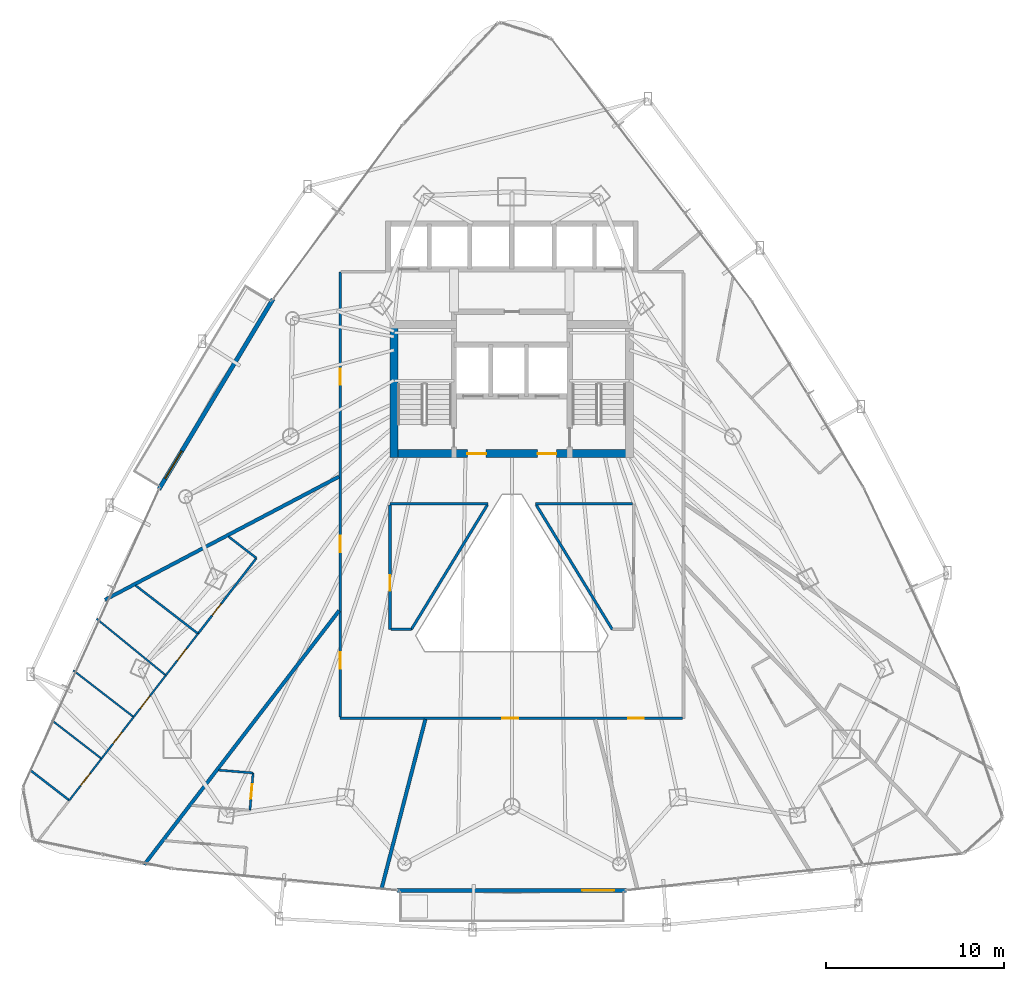
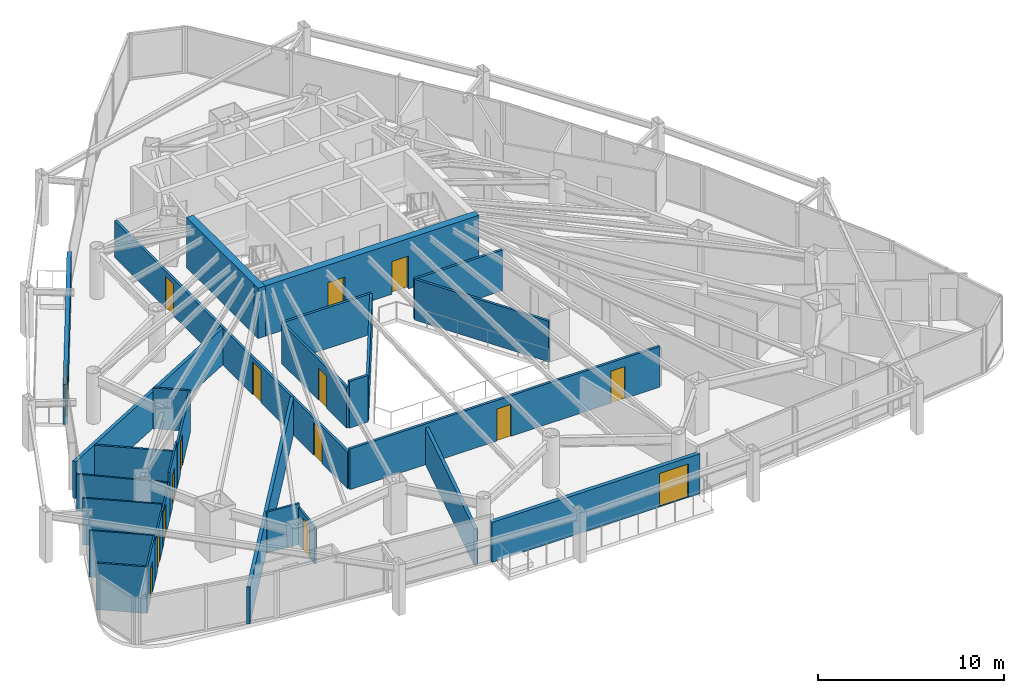
# One storey, part 29 of 34: 28 walls, 16 doors, 16 openings.
"""IFC4 building model written with IfcOpenShell, lengths in metres."""

from ifc_helpers import new_model, si_unit, direction, frame, frame_2d, origin, place, context, subcontext, project, spatial, rectangle, extrude, material, layer, layer_set, type_object, element, fill, save


model = new_model("IFC4")

# Units and contexts
model_context = context("Model", 3, precision=1e-05, world=origin(), true_north=direction((0.0, 1.0)))
body_context = subcontext(model_context, "Body", "Model", "MODEL_VIEW")
ifc_project = project(units=[si_unit("LENGTHUNIT", "METRE"), si_unit("AREAUNIT", "SQUARE_METRE"), si_unit("VOLUMEUNIT", "CUBIC_METRE"), si_unit("PLANEANGLEUNIT", "RADIAN"), si_unit("MASSUNIT", "GRAM", prefix="KILO")], contexts=[model_context])

# Site, building, storey
site_placement = place(None, origin())
site = spatial("IfcSite", under=ifc_project, at=site_placement, CompositionType="ELEMENT")
building_placement = place(site_placement, origin())
building = spatial("IfcBuilding", under=site, at=building_placement, Name="Orvanel Arch Residences", CompositionType="ELEMENT")
storey_placement = place(building_placement, frame((0.0, 0.0, 77.449951171875)))
storey = spatial("IfcBuildingStorey", under=building, at=storey_placement, Name="L21", CompositionType="ELEMENT", Elevation=77.449951171875)

# Wall, opening, door
ifc_material_1 = material(Name="Precast concrete N50 (50 MPa)", Category="concrete")
ifc_layer_1 = layer(ifc_material_1, 0.239990234375)
ifc_layer_set_1 = layer_set([ifc_layer_1], Name="Precast concrete N50 (50 MPa)")
wall_type_1 = type_object("IfcWallType", Name="EW-BAL-240", PredefinedType="SOLIDWALL", material=ifc_layer_set_1)
wall_1_placement = place(storey_placement, frame((19.575927734375, 35.3701171875, 0.0), z_axis=(0.0, 0.0, 1.0), x_axis=(-0.514331693128, -0.85759134175, 0.0)))
wall_1 = element("IfcWall", 1, at=wall_1_placement, inside=storey, type_object=wall_type_1, Name="L21 Balcony Threshold Wall Face 1", PredefinedType="SOLIDWALL", context=body_context, shape_type="SweptSolid", body=[
    extrude(rectangle(XDim=12.474365234375, YDim=0.239990234375, at=frame_2d((6.2373046875, 0.0))), origin(), (0.0, 0.0, 1.0), 2.6240234375),
])
opening_1_placement = place(wall_1_placement, frame((9.97705078125, 0.0, 0.0)))
opening_1 = element("IfcOpeningElement", 2, at=opening_1_placement, cuts=wall_1, Name="Opening DB-180", PredefinedType="OPENING", context=body_context, shape_type="SweptSolid", body=[
    extrude(rectangle(XDim=1.800048828125, YDim=2.199951171875, at=frame_2d((0.89990234375, 1.10009765625))), frame((0.0, 0.1298828125, 0.0), z_axis=(0.0, -1.0, 0.0), x_axis=(1.0, 0.0, 0.0)), (0.0, 0.0, 1.0), 0.260009765625),
])
ifc_material_2 = material(Name="Bronze-anodised aluminium AA6063-T6", Category="aluminium")
door_type_1 = type_object("IfcDoorType", Name="DR-BAL-1800", OperationType="NOTDEFINED", PredefinedType="DOOR", material=ifc_material_2)
door_1_placement = place(opening_1_placement, origin())
door_1 = element("IfcDoor", 3, at=door_1_placement, inside=storey, type_object=door_type_1, Name="DR-L21-BAL-F1 L21 Planted Balcony Access Door Face 1", OperationType="SINGLE_SWING_LEFT", OverallHeight=2.199951171875, OverallWidth=1.800048828125, PredefinedType="DOOR", context=body_context, shape_type="SweptSolid", body=[
    extrude(rectangle(XDim=1.800048828125, YDim=2.199951171875, at=frame_2d((0.89990234375, 1.10009765625))), frame((0.0, 0.02490234375, 0.0), z_axis=(0.0, -1.0, 0.0), x_axis=(1.0, 0.0, 0.0)), (0.0, 0.0, 1.0), 0.050048828125),
])
fill(opening_1, door_1)

wall_2_placement = place(storey_placement, frame((26.553955078125, 2.117919921875, 0.0), z_axis=(0.0, 0.0, 1.0), x_axis=(1.0, 0.0, 0.0)))
wall_2 = element("IfcWall", 4, at=wall_2_placement, inside=storey, type_object=wall_type_1, Name="L21 Balcony Threshold Wall Face 2", PredefinedType="SOLIDWALL", context=body_context, shape_type="SweptSolid", body=[
    extrude(rectangle(XDim=12.89111328125, YDim=0.239990234375, at=frame_2d((6.445556640625, 0.0))), origin(), (0.0, 0.0, 1.0), 2.6240234375),
])
opening_2_placement = place(wall_2_placement, frame((10.39306640625, 0.0, 0.0)))
opening_2 = element("IfcOpeningElement", 5, at=opening_2_placement, cuts=wall_2, Name="Opening DB-180", PredefinedType="OPENING", context=body_context, shape_type="SweptSolid", body=[
    extrude(rectangle(XDim=1.800048828125, YDim=2.199951171875, at=frame_2d((0.89990234375, 1.10009765625))), frame((0.0, 0.1298828125, 0.0), z_axis=(0.0, -1.0, 0.0), x_axis=(1.0, 0.0, 0.0)), (0.0, 0.0, 1.0), 0.260009765625),
])
door_2_placement = place(opening_2_placement, origin())
door_2 = element("IfcDoor", 6, at=door_2_placement, inside=storey, type_object=door_type_1, Name="DR-L21-BAL-F2 L21 Planted Balcony Access Door Face 2", OperationType="SINGLE_SWING_RIGHT", OverallHeight=2.199951171875, OverallWidth=1.800048828125, PredefinedType="DOOR", context=body_context, shape_type="SweptSolid", body=[
    extrude(rectangle(XDim=1.800048828125, YDim=2.199951171875, at=frame_2d((0.89990234375, 1.10009765625))), frame((0.0, 0.02490234375, 0.0), z_axis=(0.0, -1.0, 0.0), x_axis=(1.0, 0.0, 0.0)), (0.0, 0.0, 1.0), 0.050048828125),
])
fill(opening_2, door_2)

# Wall, openings, doors
ifc_material_3 = material(Name="Concrete S80 (80 MPa)", Category="concrete")
ifc_layer_2 = layer(ifc_material_3, 0.449951171875)
ifc_layer_set_2 = layer_set([ifc_layer_2], Name="Concrete S80 (80 MPa)")
wall_type_2 = type_object("IfcWallType", Name="SW-CORE-450", PredefinedType="SHEAR", material=ifc_layer_set_2)
wall_3_placement = place(storey_placement, frame((26.14990234375, 26.675048828125, 0.0), z_axis=(0.0, 0.0, 1.0), x_axis=(1.0, 0.0, 0.0)))
wall_3 = element("IfcWall", 7, at=wall_3_placement, inside=storey, type_object=wall_type_2, Name="L21 South Core Shear Wall", PredefinedType="SHEAR", context=body_context, shape_type="SweptSolid", body=[
    extrude(rectangle(XDim=13.7001953125, YDim=0.449951171875, at=frame_2d((6.85009765625, 0.0))), origin(), (0.0, 0.0, 1.0), 3.300048828125),
])
opening_3_placement = place(wall_3_placement, frame((4.35009765625, 0.0, 0.0)))
opening_3 = element("IfcOpeningElement", 8, at=opening_3_placement, cuts=wall_3, Name="Opening DF-060", PredefinedType="OPENING", context=body_context, shape_type="SweptSolid", body=[
    extrude(rectangle(XDim=1.050048828125, YDim=2.14990234375, at=frame_2d((0.52490234375, 1.074951171875))), frame((0.0, 0.23486328125, 0.0), z_axis=(0.0, -1.0, 0.0), x_axis=(1.0, 0.0, 0.0)), (0.0, 0.0, 1.0), 0.469970703125),
])
opening_4_placement = place(wall_3_placement, frame((8.300048828125, 0.0, 0.0)))
opening_4 = element("IfcOpeningElement", 9, at=opening_4_placement, cuts=wall_3, Name="Opening DF-060", PredefinedType="OPENING", context=body_context, shape_type="SweptSolid", body=[
    extrude(rectangle(XDim=1.050048828125, YDim=2.14990234375, at=frame_2d((0.52490234375, 1.074951171875))), frame((0.0, 0.23486328125, 0.0), z_axis=(0.0, -1.0, 0.0), x_axis=(1.0, 0.0, 0.0)), (0.0, 0.0, 1.0), 0.469970703125),
])
ifc_material_4 = material(Name="Galvanised steel fire-resisting door assembly", Category="steel")
door_type_2 = type_object("IfcDoorType", Name="DR-FD60-1050", OperationType="NOTDEFINED", PredefinedType="DOOR", material=ifc_material_4)
door_3_placement = place(opening_3_placement, origin())
door_3 = element("IfcDoor", 10, at=door_3_placement, inside=storey, type_object=door_type_2, Name="DR-L21-FFL-W L21 West Smoke Lobby Door", OperationType="SINGLE_SWING_LEFT", OverallHeight=2.14990234375, OverallWidth=1.050048828125, PredefinedType="DOOR", context=body_context, shape_type="SweptSolid", body=[
    extrude(rectangle(XDim=1.050048828125, YDim=2.14990234375, at=frame_2d((0.52490234375, 1.074951171875))), frame((0.0, 0.02490234375, 0.0), z_axis=(0.0, -1.0, 0.0), x_axis=(1.0, 0.0, 0.0)), (0.0, 0.0, 1.0), 0.050048828125),
])
fill(opening_3, door_3)
door_4_placement = place(opening_4_placement, origin())
door_4 = element("IfcDoor", 11, at=door_4_placement, inside=storey, type_object=door_type_2, Name="DR-L21-FFL-E L21 East Smoke Lobby Door", OperationType="SINGLE_SWING_RIGHT", OverallHeight=2.14990234375, OverallWidth=1.050048828125, PredefinedType="DOOR", context=body_context, shape_type="SweptSolid", body=[
    extrude(rectangle(XDim=1.050048828125, YDim=2.14990234375, at=frame_2d((0.52490234375, 1.074951171875))), frame((0.0, 0.02490234375, 0.0), z_axis=(0.0, -1.0, 0.0), x_axis=(1.0, 0.0, 0.0)), (0.0, 0.0, 1.0), 0.050048828125),
])
fill(opening_4, door_4)

# Wall
wall_4_placement = place(storey_placement, frame((26.375, 26.449951171875, 0.0), z_axis=(0.0, 0.0, 1.0), x_axis=(0.0, 1.0, 0.0)))
element("IfcWall", 12, at=wall_4_placement, inside=storey, type_object=wall_type_2, Name="L21 West Stair Shear Wall", PredefinedType="SHEAR", context=body_context, shape_type="SweptSolid", body=[
    extrude(rectangle(XDim=7.699951171875, YDim=0.449951171875, at=frame_2d((3.85009765625, 0.0))), origin(), (0.0, 0.0, 1.0), 3.300048828125),
])

# Wall, openings, doors
ifc_material_5 = material(Name="Fire-rated plasterboard lined steel stud partition", Category="steel")
ifc_layer_3 = layer(ifc_material_5, 0.14990234375)
ifc_layer_set_3 = layer_set([ifc_layer_3], Name="Fire-rated plasterboard lined steel stud partition")
wall_type_3 = type_object("IfcWallType", Name="W-COR-150", PredefinedType="PARTITIONING", material=ifc_layer_set_3)
wall_5_placement = place(storey_placement, frame((42.590087890625, 11.800048828125, 0.0), z_axis=(0.0, 0.0, 1.0), x_axis=(-1.0, 0.0, 0.0)))
wall_5 = element("IfcWall", 13, at=wall_5_placement, inside=storey, type_object=wall_type_3, Name="L21 Corridor Fire-Rated Partition", PredefinedType="PARTITIONING", context=body_context, shape_type="SweptSolid", body=[
    extrude(rectangle(XDim=19.239990234375, YDim=0.14990234375, at=frame_2d((9.6201171875, 0.0))), origin(), (0.0, 0.0, 1.0), 2.6689453125),
])
opening_5_placement = place(wall_5_placement, frame((9.239990234375, 0.0, 0.0)))
opening_5 = element("IfcOpeningElement", 14, at=opening_5_placement, cuts=wall_5, Name="Opening DI-088", PredefinedType="OPENING", context=body_context, shape_type="SweptSolid", body=[
    extrude(rectangle(XDim=0.8798828125, YDim=2.10009765625, at=frame_2d((0.43994140625, 1.050048828125))), frame((0.0, 0.0849609375, 0.0), z_axis=(0.0, -1.0, 0.0), x_axis=(1.0, 0.0, 0.0)), (0.0, 0.0, 1.0), 0.169921875),
])
opening_6_placement = place(wall_5_placement, frame((2.174072265625, 0.0, 0.0)))
opening_6 = element("IfcOpeningElement", 15, at=opening_6_placement, cuts=wall_5, Name="Opening DI-088", PredefinedType="OPENING", context=body_context, shape_type="SweptSolid", body=[
    extrude(rectangle(XDim=0.8798828125, YDim=2.10009765625, at=frame_2d((0.43994140625, 1.050048828125))), frame((0.0, 0.0849609375, 0.0), z_axis=(0.0, -1.0, 0.0), x_axis=(1.0, 0.0, 0.0)), (0.0, 0.0, 1.0), 0.169921875),
])
ifc_material_6 = material(Name="Solid-core European oak veneer fire door leaf", Category="wood")
door_type_3 = type_object("IfcDoorType", Name="DR-INT-880", OperationType="NOTDEFINED", PredefinedType="DOOR", material=ifc_material_6)
door_5_placement = place(opening_5_placement, origin())
door_5 = element("IfcDoor", 16, at=door_5_placement, inside=storey, type_object=door_type_3, Name="DR-L21-SHRD-FB5 L21 Co-Working Study Office E Door", OperationType="SINGLE_SWING_LEFT", OverallHeight=2.10009765625, OverallWidth=0.8798828125, PredefinedType="DOOR", context=body_context, shape_type="SweptSolid", body=[
    extrude(rectangle(XDim=0.8798828125, YDim=2.10009765625, at=frame_2d((0.43994140625, 1.050048828125))), frame((0.0, 0.02490234375, 0.0), z_axis=(0.0, -1.0, 0.0), x_axis=(1.0, 0.0, 0.0)), (0.0, 0.0, 1.0), 0.050048828125),
])
fill(opening_5, door_5)
door_6_placement = place(opening_6_placement, origin())
door_6 = element("IfcDoor", 17, at=door_6_placement, inside=storey, type_object=door_type_3, Name="DR-L21-SHRD-FB8 L21 Co-Working Study Office H Door", OperationType="SINGLE_SWING_LEFT", OverallHeight=2.10009765625, OverallWidth=0.8798828125, PredefinedType="DOOR", context=body_context, shape_type="SweptSolid", body=[
    extrude(rectangle(XDim=0.8798828125, YDim=2.10009765625, at=frame_2d((0.43994140625, 1.050048828125))), frame((0.0, 0.02490234375, 0.0), z_axis=(0.0, -1.0, 0.0), x_axis=(1.0, 0.0, 0.0)), (0.0, 0.0, 1.0), 0.050048828125),
])
fill(opening_6, door_6)

wall_6_placement = place(storey_placement, frame((23.35009765625, 11.860107421875, 0.0), z_axis=(0.0, 0.0, 1.0), x_axis=(0.0, 1.0, 0.0)))
wall_6 = element("IfcWall", 18, at=wall_6_placement, inside=storey, type_object=wall_type_3, Name="L21 Corridor Fire-Rated Partition", PredefinedType="PARTITIONING", context=body_context, shape_type="SweptSolid", body=[
    extrude(rectangle(XDim=25.039794921875, YDim=0.14990234375, at=frame_2d((12.52001953125, 0.0))), origin(), (0.0, 0.0, 1.0), 2.4130859375),
])
opening_7_placement = place(wall_6_placement, frame((18.695068359375, 0.0, 0.0)))
opening_7 = element("IfcOpeningElement", 19, at=opening_7_placement, cuts=wall_6, Name="Opening DI-088", PredefinedType="OPENING", context=body_context, shape_type="SweptSolid", body=[
    extrude(rectangle(XDim=0.8798828125, YDim=2.10009765625, at=frame_2d((0.43994140625, 1.050048828125))), frame((0.0, 0.0849609375, 0.0), z_axis=(0.0, -1.0, 0.0), x_axis=(1.0, 0.0, 0.0)), (0.0, 0.0, 1.0), 0.169921875),
])
opening_8_placement = place(wall_6_placement, frame((9.280029296875, 0.0, 0.0)))
opening_8 = element("IfcOpeningElement", 20, at=opening_8_placement, cuts=wall_6, Name="Opening DA-092", PredefinedType="OPENING", context=body_context, shape_type="SweptSolid", body=[
    extrude(rectangle(XDim=0.919921875, YDim=2.14990234375, at=frame_2d((0.4599609375, 1.074951171875))), frame((0.0, 0.0849609375, 0.0), z_axis=(0.0, -1.0, 0.0), x_axis=(1.0, 0.0, 0.0)), (0.0, 0.0, 1.0), 0.169921875),
])
opening_9_placement = place(wall_6_placement, frame((2.721923828125, 0.0, 0.0)))
opening_9 = element("IfcOpeningElement", 21, at=opening_9_placement, cuts=wall_6, Name="Opening DA-092", PredefinedType="OPENING", context=body_context, shape_type="SweptSolid", body=[
    extrude(rectangle(XDim=0.919921875, YDim=2.14990234375, at=frame_2d((0.4599609375, 1.074951171875))), frame((0.0, 0.0849609375, 0.0), z_axis=(0.0, -1.0, 0.0), x_axis=(1.0, 0.0, 0.0)), (0.0, 0.0, 1.0), 0.169921875),
])
door_type_4 = type_object("IfcDoorType", Name="DR-APT-920", OperationType="NOTDEFINED", PredefinedType="DOOR", material=ifc_material_6)
door_7_placement = place(opening_8_placement, origin())
door_7 = element("IfcDoor", 22, at=door_7_placement, inside=storey, type_object=door_type_4, Name="DR-L21-B-ENT L21 Flat B Entrance Door", OperationType="SINGLE_SWING_LEFT", OverallHeight=2.14990234375, OverallWidth=0.919921875, PredefinedType="DOOR", context=body_context, shape_type="SweptSolid", body=[
    extrude(rectangle(XDim=0.919921875, YDim=2.14990234375, at=frame_2d((0.4599609375, 1.074951171875))), frame((0.0, 0.02490234375, 0.0), z_axis=(0.0, -1.0, 0.0), x_axis=(1.0, 0.0, 0.0)), (0.0, 0.0, 1.0), 0.050048828125),
])
fill(opening_8, door_7)
door_8_placement = place(opening_9_placement, origin())
door_8 = element("IfcDoor", 23, at=door_8_placement, inside=storey, type_object=door_type_4, Name="DR-L21-D-ENT L21 Studio D Entrance Door", OperationType="SINGLE_SWING_LEFT", OverallHeight=2.14990234375, OverallWidth=0.919921875, PredefinedType="DOOR", context=body_context, shape_type="SweptSolid", body=[
    extrude(rectangle(XDim=0.919921875, YDim=2.14990234375, at=frame_2d((0.4599609375, 1.074951171875))), frame((0.0, 0.02490234375, 0.0), z_axis=(0.0, -1.0, 0.0), x_axis=(1.0, 0.0, 0.0)), (0.0, 0.0, 1.0), 0.050048828125),
])
fill(opening_9, door_8)
door_9_placement = place(opening_7_placement, origin())
door_9 = element("IfcDoor", 24, at=door_9_placement, inside=storey, type_object=door_type_3, Name="DR-L21-SHRD-FB1 L21 Co-Working Study Office A Door", OperationType="SINGLE_SWING_LEFT", OverallHeight=2.10009765625, OverallWidth=0.8798828125, PredefinedType="DOOR", context=body_context, shape_type="SweptSolid", body=[
    extrude(rectangle(XDim=0.8798828125, YDim=2.10009765625, at=frame_2d((0.43994140625, 1.050048828125))), frame((0.0, 0.02490234375, 0.0), z_axis=(0.0, -1.0, 0.0), x_axis=(1.0, 0.0, 0.0)), (0.0, 0.0, 1.0), 0.050048828125),
])
fill(opening_7, door_9)

# Wall
wall_7_placement = place(storey_placement, frame((31.659912109375, 23.85009765625, 0.0), z_axis=(0.0, 0.0, 1.0), x_axis=(-1.0, 0.0, 0.0)))
element("IfcWall", 25, at=wall_7_placement, inside=storey, type_object=wall_type_3, Name="L21 Corridor Fire-Rated Partition", PredefinedType="PARTITIONING", context=body_context, shape_type="SweptSolid", body=[
    extrude(rectangle(XDim=5.510009765625, YDim=0.14990234375, at=frame_2d((2.7548828125, 0.0))), origin(), (0.0, 0.0, 1.0), 2.6689453125),
])

# Wall, opening, door
wall_8_placement = place(storey_placement, frame((26.14990234375, 23.7900390625, 0.0), z_axis=(0.0, 0.0, 1.0), x_axis=(0.0, -1.0, 0.0)))
wall_8 = element("IfcWall", 26, at=wall_8_placement, inside=storey, type_object=wall_type_3, Name="L21 Corridor Fire-Rated Partition", PredefinedType="PARTITIONING", context=body_context, shape_type="SweptSolid", body=[
    extrude(rectangle(XDim=6.989990234375, YDim=0.14990234375, at=frame_2d((3.4951171875, 0.0))), origin(), (0.0, 0.0, 1.0), 2.6689453125),
])
opening_10_placement = place(wall_8_placement, frame((3.943115234375, 0.0, 0.0)))
opening_10 = element("IfcOpeningElement", 27, at=opening_10_placement, cuts=wall_8, Name="Opening DI-088", PredefinedType="OPENING", context=body_context, shape_type="SweptSolid", body=[
    extrude(rectangle(XDim=0.8798828125, YDim=2.10009765625, at=frame_2d((0.43994140625, 1.050048828125))), frame((0.0, 0.0849609375, 0.0), z_axis=(0.0, -1.0, 0.0), x_axis=(1.0, 0.0, 0.0)), (0.0, 0.0, 1.0), 0.169921875),
])
door_10_placement = place(opening_10_placement, origin())
door_10 = element("IfcDoor", 28, at=door_10_placement, inside=storey, type_object=door_type_3, Name="DR-L21-SHRD-FB10 L21 Co-Working Study Office J Door", OperationType="SINGLE_SWING_LEFT", OverallHeight=2.10009765625, OverallWidth=0.8798828125, PredefinedType="DOOR", context=body_context, shape_type="SweptSolid", body=[
    extrude(rectangle(XDim=0.8798828125, YDim=2.10009765625, at=frame_2d((0.43994140625, 1.050048828125))), frame((0.0, 0.02490234375, 0.0), z_axis=(0.0, -1.0, 0.0), x_axis=(1.0, 0.0, 0.0)), (0.0, 0.0, 1.0), 0.050048828125),
])
fill(opening_10, door_10)

# Walls
wall_9_placement = place(storey_placement, frame((26.2099609375, 16.800048828125, 0.0), z_axis=(0.0, 0.0, 1.0), x_axis=(1.0, 0.0, 0.0)))
element("IfcWall", 29, at=wall_9_placement, inside=storey, type_object=wall_type_3, Name="L21 Corridor Fire-Rated Partition", PredefinedType="PARTITIONING", context=body_context, shape_type="SweptSolid", body=[
    extrude(rectangle(XDim=1.14013671875, YDim=0.14990234375, at=frame_2d((0.570068359375, 0.0))), origin(), (0.0, 0.0, 1.0), 3.06005859375),
])
wall_10_placement = place(storey_placement, frame((39.7900390625, 23.85009765625, 0.0), z_axis=(0.0, 0.0, 1.0), x_axis=(-1.0, 0.0, 0.0)))
element("IfcWall", 30, at=wall_10_placement, inside=storey, type_object=wall_type_3, Name="L21 Corridor Fire-Rated Partition", PredefinedType="PARTITIONING", context=body_context, shape_type="SweptSolid", body=[
    extrude(rectangle(XDim=5.449951171875, YDim=0.14990234375, at=frame_2d((2.72509765625, 0.0))), origin(), (0.0, 0.0, 1.0), 2.6689453125),
])
for number, where, z_axis, x_axis, name in (
    (31, (27.35009765625, 16.7900390625, 0.0), (0.0, 0.0, 1.0), (0.521108010454, 0.853490738931, 0.0), "L21 Atrium Overlook Glazed Partition"),
    (32, (34.3759765625, 23.7900390625, 0.0), (0.0, 0.0, 1.0), (0.521108010454, -0.853490738931, 0.0), "L21 Atrium Overlook Glazed Partition"),
):
    element("IfcWall", number, at=place(storey_placement, frame(where, z_axis=z_axis, x_axis=x_axis)), inside=storey, type_object=wall_type_3, Name=name, PredefinedType="PARTITIONING", context=body_context, shape_type="SweptSolid", body=[
        extrude(rectangle(XDim=8.20166015625, YDim=0.14990234375, at=frame_2d((4.100830078125, 0.0))), origin(), (0.0, 0.0, 1.0), 2.6689453125),
    ])
ifc_layer_4 = layer(ifc_material_5, 0.199951171875)
ifc_layer_set_4 = layer_set([ifc_layer_4], Name="Fire-rated plasterboard lined steel stud partition")
wall_type_4 = type_object("IfcWallType", Name="W-DEM-200", PredefinedType="PARTITIONING", material=ifc_layer_set_4)
wall_11_placement = place(storey_placement, frame((23.2900390625, 25.386962890625, 0.0), z_axis=(0.0, 0.0, 1.0), x_axis=(-0.884824599801, -0.465924272373, 0.0)))
element("IfcWall", 33, at=wall_11_placement, inside=storey, type_object=wall_type_4, Name="L21 Inter-Tenancy Acoustic Demising Wall", PredefinedType="PARTITIONING", context=body_context, shape_type="SweptSolid", body=[
    extrude(rectangle(XDim=14.8798828125, YDim=0.199951171875, at=frame_2d((7.43994140625, 0.0))), origin(), (0.0, 0.0, 1.0), 2.4130859375),
])
wall_12_placement = place(storey_placement, frame((23.2900390625, 17.845947265625, 0.0), z_axis=(0.0, 0.0, 1.0), x_axis=(-0.608736412859, -0.793372535232, 0.0)))
element("IfcWall", 34, at=wall_12_placement, inside=storey, type_object=wall_type_4, Name="L21 Inter-Tenancy Acoustic Demising Wall", PredefinedType="PARTITIONING", context=body_context, shape_type="SweptSolid", body=[
    extrude(rectangle(XDim=18.0029296875, YDim=0.199951171875, at=frame_2d((9.00146484375, 0.0))), origin(), (0.0, 0.0, 1.0), 2.4130859375),
])
wall_13_placement = place(storey_placement, frame((28.14208984375, 11.739990234375, 0.0), z_axis=(0.0, 0.0, 1.0), x_axis=(-0.250654087156, -0.968076716274, 0.0)))
element("IfcWall", 35, at=wall_13_placement, inside=storey, type_object=wall_type_4, Name="L21 Inter-Tenancy Acoustic Demising Wall", PredefinedType="PARTITIONING", context=body_context, shape_type="SweptSolid", body=[
    extrude(rectangle(XDim=9.84619140625, YDim=0.199951171875, at=frame_2d((4.923095703125, 0.0))), origin(), (0.0, 0.0, 1.0), 2.4130859375),
])

# Wall, opening, door
ifc_material_7 = material(Name="Acoustic plasterboard lined twin-stud partition", Category="gypsum")
ifc_layer_5 = layer(ifc_material_7, 0.10009765625)
ifc_layer_set_5 = layer_set([ifc_layer_5], Name="Acoustic plasterboard lined twin-stud partition")
wall_type_5 = type_object("IfcWallType", Name="W-INT-100", PredefinedType="PARTITIONING", material=ifc_layer_set_5)
wall_14_placement = place(storey_placement, frame((11.740966796875, 11.8701171875, 0.0), z_axis=(0.0, 0.0, 1.0), x_axis=(0.61134418085, 0.791364828976, 0.0)))
wall_14 = element("IfcWall", 36, at=wall_14_placement, inside=storey, type_object=wall_type_5, Name="L21 Flat B Internal Partition", PredefinedType="PARTITIONING", context=body_context, shape_type="SweptSolid", body=[
    extrude(rectangle(XDim=2.959228515625, YDim=0.10009765625, at=frame_2d((1.4794921875, 0.0))), origin(), (0.0, 0.0, 1.0), 2.4130859375),
])
opening_11_placement = place(wall_14_placement, frame((0.60791015625, 0.0, 0.0)))
opening_11 = element("IfcOpeningElement", 37, at=opening_11_placement, cuts=wall_14, Name="Opening DI-088", PredefinedType="OPENING", context=body_context, shape_type="SweptSolid", body=[
    extrude(rectangle(XDim=0.8798828125, YDim=2.10009765625, at=frame_2d((0.43994140625, 1.050048828125))), frame((0.0, 0.06005859375, 0.0), z_axis=(0.0, -1.0, 0.0), x_axis=(1.0, 0.0, 0.0)), (0.0, 0.0, 1.0), 0.1201171875),
])
door_11_placement = place(opening_11_placement, origin())
door_11 = element("IfcDoor", 38, at=door_11_placement, inside=storey, type_object=door_type_3, Name="DR-L21-B-BED1 L21 Flat B Bedroom 1 Door", OperationType="SINGLE_SWING_LEFT", OverallHeight=2.10009765625, OverallWidth=0.8798828125, PredefinedType="DOOR", context=body_context, shape_type="SweptSolid", body=[
    extrude(rectangle(XDim=0.8798828125, YDim=2.10009765625, at=frame_2d((0.43994140625, 1.050048828125))), frame((0.0, 0.02490234375, 0.0), z_axis=(0.0, -1.0, 0.0), x_axis=(1.0, 0.0, 0.0)), (0.0, 0.0, 1.0), 0.050048828125),
])
fill(opening_11, door_11)

wall_15_placement = place(storey_placement, frame((13.550048828125, 14.2119140625, 0.0), z_axis=(0.0, 0.0, 1.0), x_axis=(0.611510880037, 0.791236022686, 0.0)))
wall_15 = element("IfcWall", 39, at=wall_15_placement, inside=storey, type_object=wall_type_5, Name="L21 Flat B Internal Partition", PredefinedType="PARTITIONING", context=body_context, shape_type="SweptSolid", body=[
    extrude(rectangle(XDim=2.9599609375, YDim=0.10009765625, at=frame_2d((1.47998046875, 0.0))), origin(), (0.0, 0.0, 1.0), 3.06005859375),
])
opening_12_placement = place(wall_15_placement, frame((1.070068359375, 0.0, 0.0)))
opening_12 = element("IfcOpeningElement", 40, at=opening_12_placement, cuts=wall_15, Name="Opening DW-082", PredefinedType="OPENING", context=body_context, shape_type="SweptSolid", body=[
    extrude(rectangle(XDim=0.820068359375, YDim=2.10009765625, at=frame_2d((0.41015625, 1.050048828125))), frame((0.0, 0.06005859375, 0.0), z_axis=(0.0, -1.0, 0.0), x_axis=(1.0, 0.0, 0.0)), (0.0, 0.0, 1.0), 0.1201171875),
])
door_type_5 = type_object("IfcDoorType", Name="DR-WET-820", OperationType="NOTDEFINED", PredefinedType="DOOR", material=ifc_material_6)
door_12_placement = place(opening_12_placement, origin())
door_12 = element("IfcDoor", 41, at=door_12_placement, inside=storey, type_object=door_type_5, Name="DR-L21-B-LAU2 L21 Flat B Apartment Laundry Room 1 Door", OperationType="SINGLE_SWING_LEFT", OverallHeight=2.10009765625, OverallWidth=0.820068359375, PredefinedType="DOOR", context=body_context, shape_type="SweptSolid", body=[
    extrude(rectangle(XDim=0.820068359375, YDim=2.10009765625, at=frame_2d((0.41015625, 1.050048828125))), frame((0.0, 0.02490234375, 0.0), z_axis=(0.0, -1.0, 0.0), x_axis=(1.0, 0.0, 0.0)), (0.0, 0.0, 1.0), 0.050048828125),
])
fill(opening_12, door_12)

wall_16_placement = place(storey_placement, frame((9.931884765625, 9.528076171875, 0.0), z_axis=(0.0, 0.0, 1.0), x_axis=(0.611304268233, 0.791395660615, 0.0)))
wall_16 = element("IfcWall", 42, at=wall_16_placement, inside=storey, type_object=wall_type_5, Name="L21 Flat B Internal Partition", PredefinedType="PARTITIONING", context=body_context, shape_type="SweptSolid", body=[
    extrude(rectangle(XDim=2.95947265625, YDim=0.10009765625, at=frame_2d((1.479736328125, 0.0))), origin(), (0.0, 0.0, 1.0), 2.619140625),
])
opening_13_placement = place(wall_16_placement, frame((1.070068359375, 0.0, 0.0)))
opening_13 = element("IfcOpeningElement", 43, at=opening_13_placement, cuts=wall_16, Name="Opening DW-082", PredefinedType="OPENING", context=body_context, shape_type="SweptSolid", body=[
    extrude(rectangle(XDim=0.820068359375, YDim=2.10009765625, at=frame_2d((0.41015625, 1.050048828125))), frame((0.0, 0.06005859375, 0.0), z_axis=(0.0, -1.0, 0.0), x_axis=(1.0, 0.0, 0.0)), (0.0, 0.0, 1.0), 0.1201171875),
])
door_13_placement = place(opening_13_placement, origin())
door_13 = element("IfcDoor", 44, at=door_13_placement, inside=storey, type_object=door_type_5, Name="DR-L21-B-LAU3 L21 Flat B Apartment Laundry Room 2 Door", OperationType="SINGLE_SWING_LEFT", OverallHeight=2.10009765625, OverallWidth=0.820068359375, PredefinedType="DOOR", context=body_context, shape_type="SweptSolid", body=[
    extrude(rectangle(XDim=0.820068359375, YDim=2.10009765625, at=frame_2d((0.41015625, 1.050048828125))), frame((0.0, 0.02490234375, 0.0), z_axis=(0.0, -1.0, 0.0), x_axis=(1.0, 0.0, 0.0)), (0.0, 0.0, 1.0), 0.050048828125),
])
fill(opening_13, door_13)

wall_17_placement = place(storey_placement, frame((8.1220703125, 7.18603515625, 0.0), z_axis=(0.0, 0.0, 1.0), x_axis=(0.611459238808, 0.791275931187, 0.0)))
wall_17 = element("IfcWall", 45, at=wall_17_placement, inside=storey, type_object=wall_type_5, Name="L21 Flat B Internal Partition", PredefinedType="PARTITIONING", context=body_context, shape_type="SweptSolid", body=[
    extrude(rectangle(XDim=2.959716796875, YDim=0.10009765625, at=frame_2d((1.47998046875, 0.0))), origin(), (0.0, 0.0, 1.0), 3.06005859375),
])
opening_14_placement = place(wall_17_placement, frame((1.0400390625, 0.0, 0.0)))
opening_14 = element("IfcOpeningElement", 46, at=opening_14_placement, cuts=wall_17, Name="Opening DI-088", PredefinedType="OPENING", context=body_context, shape_type="SweptSolid", body=[
    extrude(rectangle(XDim=0.8798828125, YDim=2.10009765625, at=frame_2d((0.43994140625, 1.050048828125))), frame((0.0, 0.06005859375, 0.0), z_axis=(0.0, -1.0, 0.0), x_axis=(1.0, 0.0, 0.0)), (0.0, 0.0, 1.0), 0.1201171875),
])
door_14_placement = place(opening_14_placement, origin())
door_14 = element("IfcDoor", 47, at=door_14_placement, inside=storey, type_object=door_type_3, Name="DR-L21-B-WRD4 L21 Flat B Walk-In Wardrobe 4 Door", OperationType="SINGLE_SWING_LEFT", OverallHeight=2.10009765625, OverallWidth=0.8798828125, PredefinedType="DOOR", context=body_context, shape_type="SweptSolid", body=[
    extrude(rectangle(XDim=0.8798828125, YDim=2.10009765625, at=frame_2d((0.43994140625, 1.050048828125))), frame((0.0, 0.02490234375, 0.0), z_axis=(0.0, -1.0, 0.0), x_axis=(1.0, 0.0, 0.0)), (0.0, 0.0, 1.0), 0.050048828125),
])
fill(opening_14, door_14)

# Walls
wall_18_placement = place(storey_placement, frame((9.654052734375, 17.39404296875, 0.0), z_axis=(0.0, 0.0, 1.0), x_axis=(0.774493289837, -0.63258212431, 0.0)))
element("IfcWall", 48, at=wall_18_placement, inside=storey, type_object=wall_type_5, Name="L21 Flat B Internal Partition", PredefinedType="PARTITIONING", context=body_context, shape_type="SweptSolid", body=[
    extrude(rectangle(XDim=5.0302734375, YDim=0.10009765625, at=frame_2d((2.51513671875, 0.0))), origin(), (0.0, 0.0, 1.0), 2.4130859375),
])
wall_19_placement = place(storey_placement, frame((11.740966796875, 11.8701171875, 0.0), z_axis=(0.0, 0.0, 1.0), x_axis=(-0.791298779838, 0.61142966973, 0.0)))
element("IfcWall", 49, at=wall_19_placement, inside=storey, type_object=wall_type_5, Name="L21 Flat B Internal Partition", PredefinedType="PARTITIONING", context=body_context, shape_type="SweptSolid", body=[
    extrude(rectangle(XDim=4.286376953125, YDim=0.10009765625, at=frame_2d((2.14306640625, 0.0))), origin(), (0.0, 0.0, 1.0), 3.06005859375),
])
wall_20_placement = place(storey_placement, frame((9.931884765625, 9.528076171875, 0.0), z_axis=(0.0, 0.0, 1.0), x_axis=(-0.791360981132, 0.611349161725, 0.0)))
element("IfcWall", 50, at=wall_20_placement, inside=storey, type_object=wall_type_5, Name="L21 Flat B Internal Partition", PredefinedType="PARTITIONING", context=body_context, shape_type="SweptSolid", body=[
    extrude(rectangle(XDim=3.532958984375, YDim=0.10009765625, at=frame_2d((1.7666015625, 0.0))), origin(), (0.0, 0.0, 1.0), 3.06005859375),
])

# Wall, opening, door
ifc_layer_6 = layer(ifc_material_7, 0.1201171875)
ifc_layer_set_6 = layer_set([ifc_layer_6], Name="Acoustic plasterboard lined twin-stud partition")
wall_type_6 = type_object("IfcWallType", Name="W-WET-120", PredefinedType="PARTITIONING", material=ifc_layer_set_6)
wall_21_placement = place(storey_placement, frame((15.360107421875, 16.553955078125, 0.0), z_axis=(0.0, 0.0, 1.0), x_axis=(0.611289599194, 0.791406991324, 0.0)))
wall_21 = element("IfcWall", 51, at=wall_21_placement, inside=storey, type_object=wall_type_6, Name="L21 Flat B Bathroom Partition", PredefinedType="PARTITIONING", context=body_context, shape_type="SweptSolid", body=[
    extrude(rectangle(XDim=5.368896484375, YDim=0.1201171875, at=frame_2d((2.6845703125, 0.0))), origin(), (0.0, 0.0, 1.0), 2.6689453125),
])
opening_15_placement = place(wall_21_placement, frame((1.297119140625, 0.0, 0.0)))
opening_15 = element("IfcOpeningElement", 52, at=opening_15_placement, cuts=wall_21, Name="Opening DW-082", PredefinedType="OPENING", context=body_context, shape_type="SweptSolid", body=[
    extrude(rectangle(XDim=0.820068359375, YDim=2.10009765625, at=frame_2d((0.41015625, 1.050048828125))), frame((0.0, 0.070068359375, 0.0), z_axis=(0.0, -1.0, 0.0), x_axis=(1.0, 0.0, 0.0)), (0.0, 0.0, 1.0), 0.14013671875),
])
door_15_placement = place(opening_15_placement, origin())
door_15 = element("IfcDoor", 53, at=door_15_placement, inside=storey, type_object=door_type_5, Name="DR-L21-B-BATH L21 Flat B Bathroom Door", OperationType="SINGLE_SWING_RIGHT", OverallHeight=2.10009765625, OverallWidth=0.820068359375, PredefinedType="DOOR", context=body_context, shape_type="SweptSolid", body=[
    extrude(rectangle(XDim=0.820068359375, YDim=2.10009765625, at=frame_2d((0.41015625, 1.050048828125))), frame((0.0, 0.02490234375, 0.0), z_axis=(0.0, -1.0, 0.0), x_axis=(1.0, 0.0, 0.0)), (0.0, 0.0, 1.0), 0.050048828125),
])
fill(opening_15, door_15)

# Walls
wall_22_placement = place(storey_placement, frame((18.64208984375, 20.802978515625, 0.0), z_axis=(0.0, 0.0, 1.0), x_axis=(-0.791493240875, 0.611177919799, 0.0)))
element("IfcWall", 54, at=wall_22_placement, inside=storey, type_object=wall_type_6, Name="L21 Flat B Bathroom Partition", PredefinedType="PARTITIONING", context=body_context, shape_type="SweptSolid", body=[
    extrude(rectangle(XDim=1.98486328125, YDim=0.1201171875, at=frame_2d((0.992431640625, 0.0))), origin(), (0.0, 0.0, 1.0), 2.6689453125),
])
wall_23_placement = place(storey_placement, frame((15.360107421875, 16.553955078125, 0.0), z_axis=(0.0, 0.0, 1.0), x_axis=(-0.79138059941, 0.611323766, 0.0)))
element("IfcWall", 55, at=wall_23_placement, inside=storey, type_object=wall_type_6, Name="L21 Flat B Bathroom Partition", PredefinedType="PARTITIONING", context=body_context, shape_type="SweptSolid", body=[
    extrude(rectangle(XDim=4.4365234375, YDim=0.1201171875, at=frame_2d((2.21826171875, 0.0))), origin(), (0.0, 0.0, 1.0), 2.4130859375),
])
wall_24_placement = place(storey_placement, frame((5.93994140625, 8.8720703125, 0.0), z_axis=(0.0, 0.0, 1.0), x_axis=(0.791312259297, -0.611412224514, 0.0)))
element("IfcWall", 56, at=wall_24_placement, inside=storey, type_object=wall_type_6, Name="L21 Flat B Internal Partition", PredefinedType="PARTITIONING", context=body_context, shape_type="SweptSolid", body=[
    extrude(rectangle(XDim=2.757568359375, YDim=0.1201171875, at=frame_2d((1.37890625, 0.0))), origin(), (0.0, 0.0, 1.0), 3.06005859375),
])

# Wall, opening, door
wall_25_placement = place(storey_placement, frame((18.278076171875, 6.6298828125, 0.0), z_axis=(0.0, 0.0, 1.0), x_axis=(0.083756885487, 0.996486218737, 0.0)))
wall_25 = element("IfcWall", 57, at=wall_25_placement, inside=storey, type_object=wall_type_6, Name="L21 Studio D Bathroom Partition", PredefinedType="PARTITIONING", context=body_context, shape_type="SweptSolid", body=[
    extrude(rectangle(XDim=2.1015625, YDim=0.1201171875, at=frame_2d((1.05078125, 0.0))), origin(), (0.0, 0.0, 1.0), 2.4130859375),
])
opening_16_placement = place(wall_25_placement, frame((0.64111328125, 0.0, 0.0)))
opening_16 = element("IfcOpeningElement", 58, at=opening_16_placement, cuts=wall_25, Name="Opening DW-082", PredefinedType="OPENING", context=body_context, shape_type="SweptSolid", body=[
    extrude(rectangle(XDim=0.820068359375, YDim=2.10009765625, at=frame_2d((0.41015625, 1.050048828125))), frame((0.0, 0.070068359375, 0.0), z_axis=(0.0, -1.0, 0.0), x_axis=(1.0, 0.0, 0.0)), (0.0, 0.0, 1.0), 0.14013671875),
])
door_16_placement = place(opening_16_placement, origin())
door_16 = element("IfcDoor", 59, at=door_16_placement, inside=storey, type_object=door_type_5, Name="DR-L21-D-BATH L21 Studio D Bathroom Door", OperationType="SINGLE_SWING_RIGHT", OverallHeight=2.10009765625, OverallWidth=0.820068359375, PredefinedType="DOOR", context=body_context, shape_type="SweptSolid", body=[
    extrude(rectangle(XDim=0.820068359375, YDim=2.10009765625, at=frame_2d((0.41015625, 1.050048828125))), frame((0.0, 0.02490234375, 0.0), z_axis=(0.0, -1.0, 0.0), x_axis=(1.0, 0.0, 0.0)), (0.0, 0.0, 1.0), 0.050048828125),
])
fill(opening_16, door_16)

# Wall
wall_26_placement = place(storey_placement, frame((18.4541015625, 8.72412109375, 0.0), z_axis=(0.0, 0.0, 1.0), x_axis=(-0.996550966871, 0.082982952637, 0.0)))
element("IfcWall", 60, at=wall_26_placement, inside=storey, type_object=wall_type_6, Name="L21 Studio D Bathroom Partition", PredefinedType="PARTITIONING", context=body_context, shape_type="SweptSolid", body=[
    extrude(rectangle(XDim=1.938720703125, YDim=0.1201171875, at=frame_2d((0.96923828125, 0.0))), origin(), (0.0, 0.0, 1.0), 2.6689453125),
])

save(model, "model.ifc")
